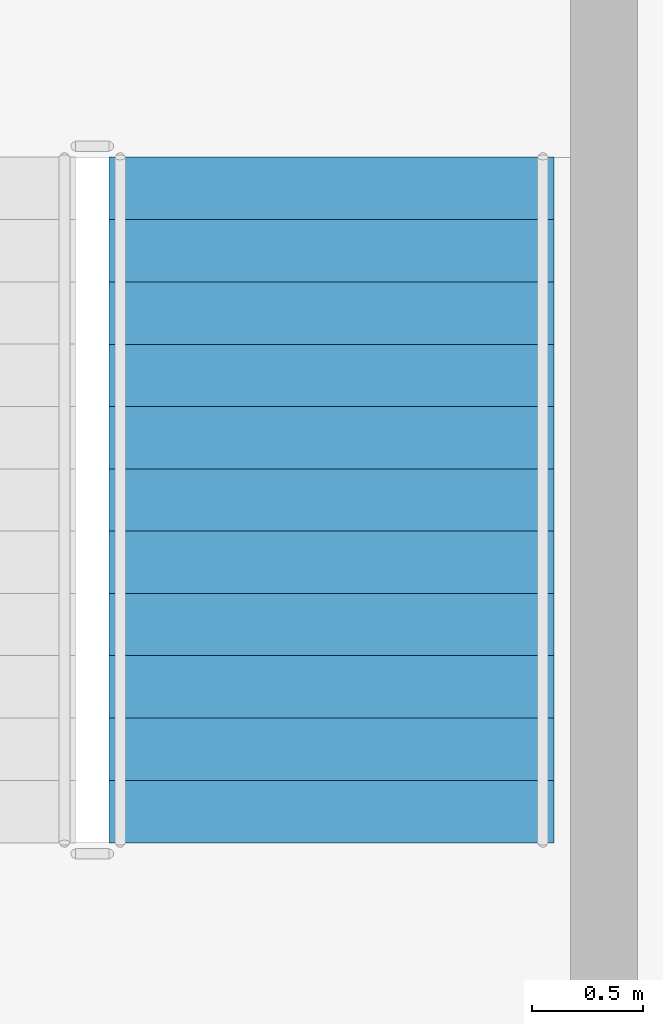
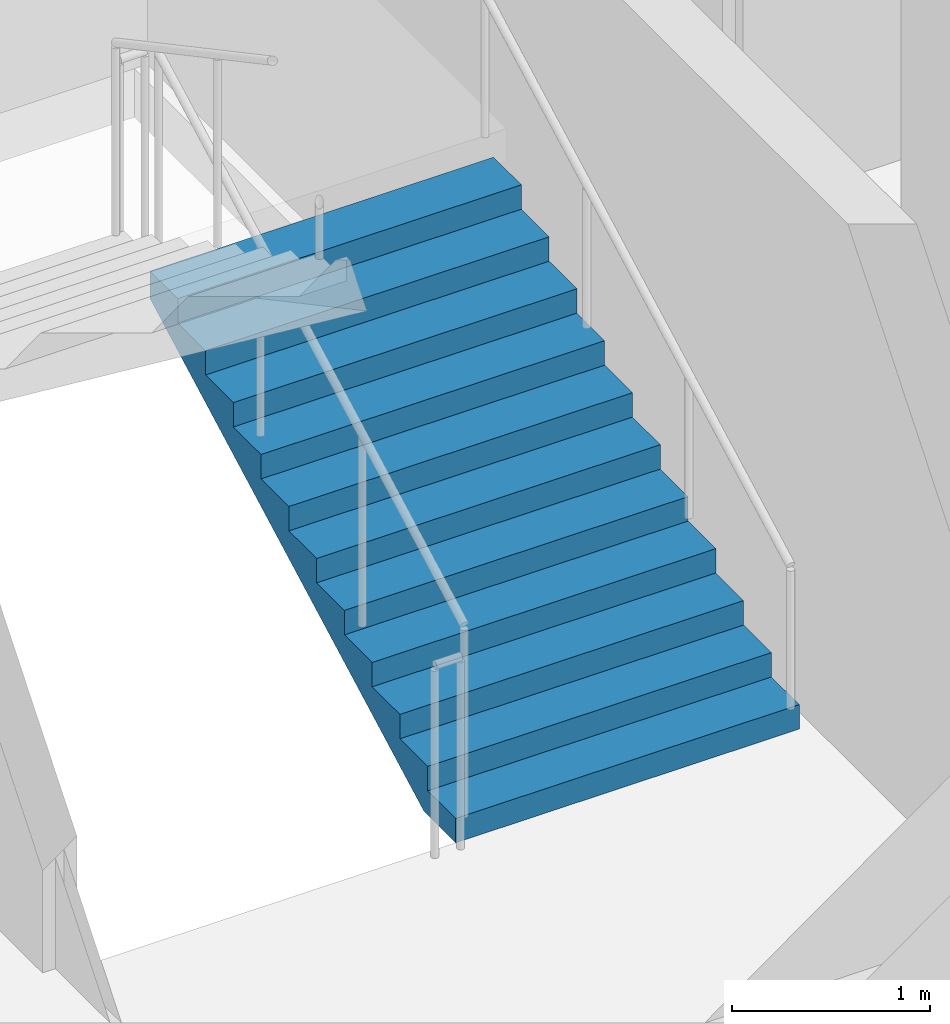
# One storey, part 12 of 19: 1 stair flight, 1 element without a shape of its own.
"""IFC4 building model written with IfcOpenShell, lengths in metres."""

import ifcopenshell
import ifcopenshell.guid

model = None  # the IFC model being written
_history = None  # IfcOwnerHistory: only IFC2X3 demands one
_inside = {}  # id of a spatial element -> (the spatial element, [elements in it])
_under = {}  # id of a project, library or spatial element -> (it, [spatial elements below it])
_declared = {}  # id of a project -> (the project, [libraries it declares])
_typed = {}  # id of a type object -> (the type object, [elements of that type])
_made_of = {}  # id of a material, layer set ... -> (it, [elements and type objects made of it])


def new_model(schema):
    """Start an empty IFC model of exactly this schema.

    Asked for "IFC4X3", IfcOpenShell would pick the latest addendum, in which some entities
    have other attributes; the version numbers below select the first issue.
    IFC2X3 requires an IfcOwnerHistory on every rooted entity: one is made here for all.
    """
    global model, _history
    if schema == "IFC4X3":
        model = ifcopenshell.file(schema_version=(4, 3, 0, 0))
    else:
        model = ifcopenshell.file(schema=schema)
    _inside.clear()
    _under.clear()
    _declared.clear()
    _typed.clear()
    _made_of.clear()
    _history = None
    if model.schema == "IFC2X3":
        org = make("IfcOrganization", Name="unknown")
        user = make(
            "IfcPersonAndOrganization",
            ThePerson=make("IfcPerson", FamilyName="unknown"),
            TheOrganization=org,
        )
        app = make(
            "IfcApplication",
            ApplicationDeveloper=org,
            Version="unknown",
            ApplicationFullName="unknown",
            ApplicationIdentifier="unknown",
        )
        _history = make(
            "IfcOwnerHistory",
            OwningUser=user,
            OwningApplication=app,
            ChangeAction="ADDED",
            CreationDate=0,
        )
    return model


def make(cls, **values):
    """One entity of the class cls with the attributes given. An attribute that is None is left unset."""
    return model.create_entity(
        cls, **{name: value for name, value in values.items() if value is not None}
    )


def rooted(cls, **values):
    """An entity with a GlobalId (a new one), such as an element, a storey or a relation."""
    return make(cls, GlobalId=ifcopenshell.guid.new(), OwnerHistory=_history, **values)


def si_unit(unit_type, name, prefix=None):
    """IfcSIUnit, for example si_unit("LENGTHUNIT", "METRE", prefix="MILLI")."""
    return make("IfcSIUnit", UnitType=unit_type, Prefix=prefix, Name=name)


def assignment(units):
    """IfcUnitAssignment: the units of a project."""
    return None if units is None else make("IfcUnitAssignment", Units=units)


def point(xyz):
    """IfcCartesianPoint."""
    return None if xyz is None else make("IfcCartesianPoint", Coordinates=xyz)


def direction(xyz):
    """IfcDirection."""
    return None if xyz is None else make("IfcDirection", DirectionRatios=xyz)


def frame(location, z_axis=None, x_axis=None):
    """IfcAxis2Placement3D, a coordinate frame: its origin and axes. An axis left out is left unset."""
    return make(
        "IfcAxis2Placement3D",
        Location=point(location),
        Axis=direction(z_axis),
        RefDirection=direction(x_axis),
    )


def origin():
    """The frame at (0, 0, 0) with its axes left unset."""
    return frame((0.0, 0.0, 0.0))


def place(relative_to, where):
    """IfcLocalPlacement: puts the frame where relative to a parent placement (None: the world)."""
    return make(
        "IfcLocalPlacement", PlacementRelTo=relative_to, RelativePlacement=where
    )


def context(
    kind, dimensions, precision=None, world=None, true_north=None, identifier=None
):
    """IfcGeometricRepresentationContext, for example the 3D "Model" context."""
    return make(
        "IfcGeometricRepresentationContext",
        ContextIdentifier=identifier,
        ContextType=kind,
        CoordinateSpaceDimension=dimensions,
        Precision=precision,
        WorldCoordinateSystem=world,
        TrueNorth=true_north,
    )


def subcontext(parent, identifier, kind, view, scale=None):
    """IfcGeometricRepresentationSubContext, for example "Body" below "Model"."""
    return make(
        "IfcGeometricRepresentationSubContext",
        ContextIdentifier=identifier,
        ContextType=kind,
        ParentContext=parent,
        TargetScale=scale,
        TargetView=view,
    )


def project(units=None, contexts=None):
    """IfcProject with its units and contexts."""
    return rooted(
        "IfcProject",
        Name="project",
        RepresentationContexts=contexts,
        UnitsInContext=assignment(units),
    )


def spatial(cls, under=None, at=None, **own):
    """A site, building, storey or space (cls), placed at a placement, below another one or the project."""
    s = rooted(cls, ObjectPlacement=at, **own)
    if under is not None:
        _under.setdefault(under.id(), (under, []))[1].append(s)
    return s


def point_list(points):
    """IfcCartesianPointList2D or 3D."""
    cls = (
        "IfcCartesianPointList2D" if len(points[0]) == 2 else "IfcCartesianPointList3D"
    )
    return make(cls, CoordList=points)


def polygons(points, faces, closed=None, point_numbers=None):
    """IfcPolygonalFaceSet: a face is its outer loop, then its inner loops; points numbered from 1."""
    made = []
    for loops in faces:
        if len(loops) == 1:
            made.append(make("IfcIndexedPolygonalFace", CoordIndex=loops[0]))
        else:
            made.append(
                make(
                    "IfcIndexedPolygonalFaceWithVoids",
                    CoordIndex=loops[0],
                    InnerCoordIndices=loops[1:],
                )
            )
    return make(
        "IfcPolygonalFaceSet",
        Coordinates=point_list(points),
        Closed=closed,
        Faces=made,
        PnIndex=point_numbers,
    )


def shape(context_of_items, identifier, shape_type, items):
    """IfcShapeRepresentation: the items that make up one representation, for example the "Body"."""
    return make(
        "IfcShapeRepresentation",
        ContextOfItems=context_of_items,
        RepresentationIdentifier=identifier,
        RepresentationType=shape_type,
        Items=items,
    )


def material(Name=None, Category=None):
    """IfcMaterial."""
    return make("IfcMaterial", Name=Name, Category=Category)


def made_of(thing, what):
    """Note that an element or type object is made of a material, layer set ...; save() writes the relation."""
    if what is not None:
        _made_of.setdefault(what.id(), (what, []))[1].append(thing)
    return thing


def type_object(cls, material=None, **own):
    """A type object (cls), such as IfcWallType, which elements share."""
    return made_of(rooted(cls, **own), material)


def element(
    cls,
    number,
    at=None,
    inside=None,
    cuts=None,
    type_object=None,
    material=None,
    context=None,
    identifier="Body",
    shape_type=None,
    held_by="IfcProductDefinitionShape",
    body=None,
    shapes=None,
    **own,
):
    """One element of the class cls, such as IfcWall. Its Tag is "e" and its number.

    at: its placement. inside: the storey or other place that contains it. cuts: it is an
    opening in that element (IfcRelVoidsElement). A single representation is given by context,
    identifier, shape_type and body (its items); several are given by shapes. held_by: the class
    of the entity that holds the representations. save() writes the other relations.
    """
    e = rooted(cls, Tag="e%d" % number, ObjectPlacement=at, **own)
    if body is not None:
        shapes = [shape(context, identifier, shape_type, body)]
    if shapes is not None:
        e.Representation = make(held_by, Representations=shapes)
    if inside is not None:
        _inside.setdefault(inside.id(), (inside, []))[1].append(e)
    if cuts is not None:
        rooted(
            "IfcRelVoidsElement", RelatingBuildingElement=cuts, RelatedOpeningElement=e
        )
    if type_object is not None:
        _typed.setdefault(type_object.id(), (type_object, []))[1].append(e)
    return made_of(e, material)


def aggregate(whole, parts):
    """IfcRelAggregates: a whole, such as a stair, and the parts it consists of."""
    return rooted("IfcRelAggregates", RelatingObject=whole, RelatedObjects=parts)


def save(model, path):
    """Write the relations noted so far, then the file.

    IfcRelAggregates (storeys below a building ...), IfcRelContainedInSpatialStructure (elements
    in a storey), IfcRelDefinesByType, IfcRelAssociatesMaterial and IfcRelDeclares: one each for
    every whole, place, type object, material and project.
    """
    for whole, parts in _under.values():
        aggregate(whole, parts)
    for where, things in _inside.values():
        rooted(
            "IfcRelContainedInSpatialStructure",
            RelatedElements=things,
            RelatingStructure=where,
        )
    for kind, things in _typed.values():
        rooted("IfcRelDefinesByType", RelatedObjects=things, RelatingType=kind)
    for what, things in _made_of.values():
        rooted("IfcRelAssociatesMaterial", RelatedObjects=things, RelatingMaterial=what)
    for by, libraries in _declared.values():
        rooted("IfcRelDeclares", RelatingContext=by, RelatedDefinitions=libraries)
    model.write(path)


model = new_model("IFC4")

# Units and contexts
model_context = context("Model", 3, precision=1e-05, world=origin(), true_north=direction((0.0, 1.0)))
body_context = subcontext(model_context, "Body", "Model", "MODEL_VIEW")
ifc_project = project(units=[si_unit("LENGTHUNIT", "METRE"), si_unit("AREAUNIT", "SQUARE_METRE"), si_unit("VOLUMEUNIT", "CUBIC_METRE"), si_unit("PLANEANGLEUNIT", "RADIAN"), si_unit("MASSUNIT", "GRAM", prefix="KILO")], contexts=[model_context])

# Site, building, storey
site_placement = place(None, origin())
site = spatial("IfcSite", under=ifc_project, at=site_placement, CompositionType="ELEMENT")
building_placement = place(site_placement, origin())
building = spatial("IfcBuilding", under=site, at=building_placement, Name="Caravel Reach Hotel and Residences", CompositionType="ELEMENT")
storey_placement = place(building_placement, frame((0.0, 0.0, 74.39990234375)))
storey = spatial("IfcBuildingStorey", under=building, at=storey_placement, Name="L17", CompositionType="ELEMENT", Elevation=74.39990234375)

# Stair, stair flight
ifc_material_1 = material(Name="Concrete C40", Category="concrete")
stair_type = type_object("IfcStairType", Name="Core stair", PredefinedType="HALF_TURN_STAIR", material=ifc_material_1)
stair_placement = place(storey_placement, origin())
stair = element("IfcStair", 1, at=stair_placement, inside=storey, type_object=stair_type, Name="L17 Exit stair B", PredefinedType="HALF_TURN_STAIR")
ifc_material_2 = material(Name="Concrete C40", Category="concrete")
stair_flight_type = type_object("IfcStairFlightType", Name="Core stair flight", PredefinedType="STRAIGHT", material=ifc_material_2)
stair_flight_placement = place(storey_placement, frame((43.77490234375, 24.64990234375, 0.0), z_axis=(0.0, 0.0, 1.0), x_axis=(0.0, 1.0, 0.0)))
stair_flight = element("IfcStairFlight", 2, at=stair_flight_placement, type_object=stair_flight_type, Name="ST-B flight 1", NumberOfRisers=12, NumberOfTreads=11, PredefinedType="STRAIGHT", RiserHeight=0.15, TreadLength=0.28, context=body_context, shape_type="Tessellation", body=[
    polygons([(0.3174408016601862, 1.0, 0.0), (0.3174408016601862, 0.6666666666666667, 0.0), (0.3174408016601862, 0.33333333333333337, 0.0), (0.3174408016601862, 0.0, 0.0), (0.3174408016601862, -0.33333333333333326, 0.0), (0.3174408016601862, -0.6666666666666667, 0.0), (0.3174408016601862, -1.0, 0.0), (3.081, 1.0, 1.479942427682043), (3.081, 0.6666666666666667, 1.479942427682043), (3.081, 0.33333333333333337, 1.479942427682043), (3.081, 0.0, 1.479942427682043), (3.081, -0.33333333333333326, 1.479942427682043), (3.081, -0.6666666666666667, 1.479942427682043), (3.081, -1.0, 1.479942427682043), (3.081, 1.0, 1.65), (3.081, 0.6666666666666667, 1.65), (3.081, 0.33333333333333337, 1.65), (3.081, 0.0, 1.65), (3.081, -0.33333333333333326, 1.65), (3.081, -0.6666666666666667, 1.65), (3.081, -1.0, 1.65), (2.8000000000000003, 1.0, 1.65), (2.8000000000000003, 0.6666666666666667, 1.65), (2.8000000000000003, 0.33333333333333337, 1.65), (2.8000000000000003, 0.0, 1.65), (2.8000000000000003, -0.33333333333333326, 1.65), (2.8000000000000003, -0.6666666666666667, 1.65), (2.8000000000000003, -1.0, 1.65), (2.8000000000000003, 1.0, 1.5), (2.8000000000000003, 0.6666666666666667, 1.5), (2.8000000000000003, 0.33333333333333337, 1.5), (2.8000000000000003, 0.0, 1.5), (2.8000000000000003, -0.33333333333333326, 1.5), (2.8000000000000003, -0.6666666666666667, 1.5), (2.8000000000000003, -1.0, 1.5), (2.5200000000000005, 1.0, 1.5), (2.5200000000000005, 0.6666666666666667, 1.5), (2.5200000000000005, 0.33333333333333337, 1.5), (2.5200000000000005, 0.0, 1.5), (2.5200000000000005, -0.33333333333333326, 1.5), (2.5200000000000005, -0.6666666666666667, 1.5), (2.5200000000000005, -1.0, 1.5), (2.5200000000000005, 1.0, 1.3499999999999999), (2.5200000000000005, 0.6666666666666667, 1.3499999999999999), (2.5200000000000005, 0.33333333333333337, 1.3499999999999999), (2.5200000000000005, 0.0, 1.3499999999999999), (2.5200000000000005, -0.33333333333333326, 1.3499999999999999), (2.5200000000000005, -0.6666666666666667, 1.3499999999999999), (2.5200000000000005, -1.0, 1.3499999999999999), (2.24, 1.0, 1.3499999999999999), (2.24, 0.6666666666666667, 1.3499999999999999), (2.24, 0.33333333333333337, 1.3499999999999999), (2.24, 0.0, 1.3499999999999999), (2.24, -0.33333333333333326, 1.3499999999999999), (2.24, -0.6666666666666667, 1.3499999999999999), (2.24, -1.0, 1.3499999999999999), (2.24, 1.0, 1.2), (2.24, 0.6666666666666667, 1.2), (2.24, 0.33333333333333337, 1.2), (2.24, 0.0, 1.2), (2.24, -0.33333333333333326, 1.2), (2.24, -0.6666666666666667, 1.2), (2.24, -1.0, 1.2), (1.9600000000000002, 1.0, 1.2), (1.9600000000000002, 0.6666666666666667, 1.2), (1.9600000000000002, 0.33333333333333337, 1.2), (1.9600000000000002, 0.0, 1.2), (1.9600000000000002, -0.33333333333333326, 1.2), (1.9600000000000002, -0.6666666666666667, 1.2), (1.9600000000000002, -1.0, 1.2), (1.9600000000000002, 1.0, 1.05), (1.9600000000000002, 0.6666666666666667, 1.05), (1.9600000000000002, 0.33333333333333337, 1.05), (1.9600000000000002, 0.0, 1.05), (1.9600000000000002, -0.33333333333333326, 1.05), (1.9600000000000002, -0.6666666666666667, 1.05), (1.9600000000000002, -1.0, 1.05), (1.6800000000000002, 1.0, 1.05), (1.6800000000000002, 0.6666666666666667, 1.05), (1.6800000000000002, 0.33333333333333337, 1.05), (1.6800000000000002, 0.0, 1.05), (1.6800000000000002, -0.33333333333333326, 1.05), (1.6800000000000002, -0.6666666666666667, 1.05), (1.6800000000000002, -1.0, 1.05), (1.6800000000000002, 1.0, 0.8999999999999999), (1.6800000000000002, 0.6666666666666667, 0.8999999999999999), (1.6800000000000002, 0.33333333333333337, 0.8999999999999999), (1.6800000000000002, 0.0, 0.8999999999999999), (1.6800000000000002, -0.33333333333333326, 0.8999999999999999), (1.6800000000000002, -0.6666666666666667, 0.8999999999999999), (1.6800000000000002, -1.0, 0.8999999999999999), (1.4000000000000001, 1.0, 0.8999999999999999), (1.4000000000000001, 0.6666666666666667, 0.8999999999999999), (1.4000000000000001, 0.33333333333333337, 0.8999999999999999), (1.4000000000000001, 0.0, 0.8999999999999999), (1.4000000000000001, -0.33333333333333326, 0.8999999999999999), (1.4000000000000001, -0.6666666666666667, 0.8999999999999999), (1.4000000000000001, -1.0, 0.8999999999999999), (1.4000000000000001, 1.0, 0.75), (1.4000000000000001, 0.6666666666666667, 0.75), (1.4000000000000001, 0.33333333333333337, 0.75), (1.4000000000000001, 0.0, 0.75), (1.4000000000000001, -0.33333333333333326, 0.75), (1.4000000000000001, -0.6666666666666667, 0.75), (1.4000000000000001, -1.0, 0.75), (1.12, 1.0, 0.75), (1.12, 0.6666666666666667, 0.75), (1.12, 0.33333333333333337, 0.75), (1.12, 0.0, 0.75), (1.12, -0.33333333333333326, 0.75), (1.12, -0.6666666666666667, 0.75), (1.12, -1.0, 0.75), (1.12, 1.0, 0.6), (1.12, 0.6666666666666667, 0.6), (1.12, 0.33333333333333337, 0.6), (1.12, 0.0, 0.6), (1.12, -0.33333333333333326, 0.6), (1.12, -0.6666666666666667, 0.6), (1.12, -1.0, 0.6), (0.8400000000000001, 1.0, 0.6), (0.8400000000000001, 0.6666666666666667, 0.6), (0.8400000000000001, 0.33333333333333337, 0.6), (0.8400000000000001, 0.0, 0.6), (0.8400000000000001, -0.33333333333333326, 0.6), (0.8400000000000001, -0.6666666666666667, 0.6), (0.8400000000000001, -1.0, 0.6), (0.8400000000000001, 1.0, 0.44999999999999996), (0.8400000000000001, 0.6666666666666667, 0.44999999999999996), (0.8400000000000001, 0.33333333333333337, 0.44999999999999996), (0.8400000000000001, 0.0, 0.44999999999999996), (0.8400000000000001, -0.33333333333333326, 0.44999999999999996), (0.8400000000000001, -0.6666666666666667, 0.44999999999999996), (0.8400000000000001, -1.0, 0.44999999999999996), (0.56, 1.0, 0.44999999999999996), (0.56, 0.6666666666666667, 0.44999999999999996), (0.56, 0.33333333333333337, 0.44999999999999996), (0.56, 0.0, 0.44999999999999996), (0.56, -0.33333333333333326, 0.44999999999999996), (0.56, -0.6666666666666667, 0.44999999999999996), (0.56, -1.0, 0.44999999999999996), (0.56, 1.0, 0.3), (0.56, 0.6666666666666667, 0.3), (0.56, 0.33333333333333337, 0.3), (0.56, 0.0, 0.3), (0.56, -0.33333333333333326, 0.3), (0.56, -0.6666666666666667, 0.3), (0.56, -1.0, 0.3), (0.28, 1.0, 0.3), (0.28, 0.6666666666666667, 0.3), (0.28, 0.33333333333333337, 0.3), (0.28, 0.0, 0.3), (0.28, -0.33333333333333326, 0.3), (0.28, -0.6666666666666667, 0.3), (0.28, -1.0, 0.3), (0.28, 1.0, 0.15), (0.28, 0.6666666666666667, 0.15), (0.28, 0.33333333333333337, 0.15), (0.28, 0.0, 0.15), (0.28, -0.33333333333333326, 0.15), (0.28, -0.6666666666666667, 0.15), (0.28, -1.0, 0.15), (-0.001, 1.0, 0.15), (-0.001, 0.6666666666666667, 0.15), (-0.001, 0.33333333333333337, 0.15), (-0.001, 0.0, 0.15), (-0.001, -0.33333333333333326, 0.15), (-0.001, -0.6666666666666667, 0.15), (-0.001, -1.0, 0.15), (-0.001, 1.0, 0.0), (-0.001, 0.6666666666666667, 0.0), (-0.001, 0.33333333333333337, 0.0), (-0.001, 0.0, 0.0), (-0.001, -0.33333333333333326, 0.0), (-0.001, -0.6666666666666667, 0.0), (-0.001, -1.0, 0.0)], [[[169, 162, 155, 148, 141, 134, 127, 120, 113, 106, 99, 92, 85, 78, 71, 64, 57, 50, 43, 36, 29, 22, 15, 8, 1]], [[7, 14, 21, 28, 35, 42, 49, 56, 63, 70, 77, 84, 91, 98, 105, 112, 119, 126, 133, 140, 147, 154, 161, 168, 175]], [[1, 8, 9, 2]], [[2, 9, 10, 3]], [[3, 10, 11, 4]], [[4, 11, 12, 5]], [[5, 12, 13, 6]], [[6, 13, 14, 7]], [[8, 15, 16, 9]], [[9, 16, 17, 10]], [[10, 17, 18, 11]], [[11, 18, 19, 12]], [[12, 19, 20, 13]], [[13, 20, 21, 14]], [[15, 22, 23, 16]], [[16, 23, 24, 17]], [[17, 24, 25, 18]], [[18, 25, 26, 19]], [[19, 26, 27, 20]], [[20, 27, 28, 21]], [[22, 29, 30, 23]], [[23, 30, 31, 24]], [[24, 31, 32, 25]], [[25, 32, 33, 26]], [[26, 33, 34, 27]], [[27, 34, 35, 28]], [[29, 36, 37, 30]], [[30, 37, 38, 31]], [[31, 38, 39, 32]], [[32, 39, 40, 33]], [[33, 40, 41, 34]], [[34, 41, 42, 35]], [[36, 43, 44, 37]], [[37, 44, 45, 38]], [[38, 45, 46, 39]], [[39, 46, 47, 40]], [[40, 47, 48, 41]], [[41, 48, 49, 42]], [[43, 50, 51, 44]], [[44, 51, 52, 45]], [[45, 52, 53, 46]], [[46, 53, 54, 47]], [[47, 54, 55, 48]], [[48, 55, 56, 49]], [[50, 57, 58, 51]], [[51, 58, 59, 52]], [[52, 59, 60, 53]], [[53, 60, 61, 54]], [[54, 61, 62, 55]], [[55, 62, 63, 56]], [[57, 64, 65, 58]], [[58, 65, 66, 59]], [[59, 66, 67, 60]], [[60, 67, 68, 61]], [[61, 68, 69, 62]], [[62, 69, 70, 63]], [[64, 71, 72, 65]], [[65, 72, 73, 66]], [[66, 73, 74, 67]], [[67, 74, 75, 68]], [[68, 75, 76, 69]], [[69, 76, 77, 70]], [[71, 78, 79, 72]], [[72, 79, 80, 73]], [[73, 80, 81, 74]], [[74, 81, 82, 75]], [[75, 82, 83, 76]], [[76, 83, 84, 77]], [[78, 85, 86, 79]], [[79, 86, 87, 80]], [[80, 87, 88, 81]], [[81, 88, 89, 82]], [[82, 89, 90, 83]], [[83, 90, 91, 84]], [[85, 92, 93, 86]], [[86, 93, 94, 87]], [[87, 94, 95, 88]], [[88, 95, 96, 89]], [[89, 96, 97, 90]], [[90, 97, 98, 91]], [[92, 99, 100, 93]], [[93, 100, 101, 94]], [[94, 101, 102, 95]], [[95, 102, 103, 96]], [[96, 103, 104, 97]], [[97, 104, 105, 98]], [[99, 106, 107, 100]], [[100, 107, 108, 101]], [[101, 108, 109, 102]], [[102, 109, 110, 103]], [[103, 110, 111, 104]], [[104, 111, 112, 105]], [[106, 113, 114, 107]], [[107, 114, 115, 108]], [[108, 115, 116, 109]], [[109, 116, 117, 110]], [[110, 117, 118, 111]], [[111, 118, 119, 112]], [[113, 120, 121, 114]], [[114, 121, 122, 115]], [[115, 122, 123, 116]], [[116, 123, 124, 117]], [[117, 124, 125, 118]], [[118, 125, 126, 119]], [[120, 127, 128, 121]], [[121, 128, 129, 122]], [[122, 129, 130, 123]], [[123, 130, 131, 124]], [[124, 131, 132, 125]], [[125, 132, 133, 126]], [[127, 134, 135, 128]], [[128, 135, 136, 129]], [[129, 136, 137, 130]], [[130, 137, 138, 131]], [[131, 138, 139, 132]], [[132, 139, 140, 133]], [[134, 141, 142, 135]], [[135, 142, 143, 136]], [[136, 143, 144, 137]], [[137, 144, 145, 138]], [[138, 145, 146, 139]], [[139, 146, 147, 140]], [[141, 148, 149, 142]], [[142, 149, 150, 143]], [[143, 150, 151, 144]], [[144, 151, 152, 145]], [[145, 152, 153, 146]], [[146, 153, 154, 147]], [[148, 155, 156, 149]], [[149, 156, 157, 150]], [[150, 157, 158, 151]], [[151, 158, 159, 152]], [[152, 159, 160, 153]], [[153, 160, 161, 154]], [[155, 162, 163, 156]], [[156, 163, 164, 157]], [[157, 164, 165, 158]], [[158, 165, 166, 159]], [[159, 166, 167, 160]], [[160, 167, 168, 161]], [[162, 169, 170, 163]], [[163, 170, 171, 164]], [[164, 171, 172, 165]], [[165, 172, 173, 166]], [[166, 173, 174, 167]], [[167, 174, 175, 168]], [[169, 1, 2, 170]], [[170, 2, 3, 171]], [[171, 3, 4, 172]], [[172, 4, 5, 173]], [[173, 5, 6, 174]], [[174, 6, 7, 175]]], closed=True),
])
aggregate(stair, [stair_flight])

save(model, "model.ifc")
